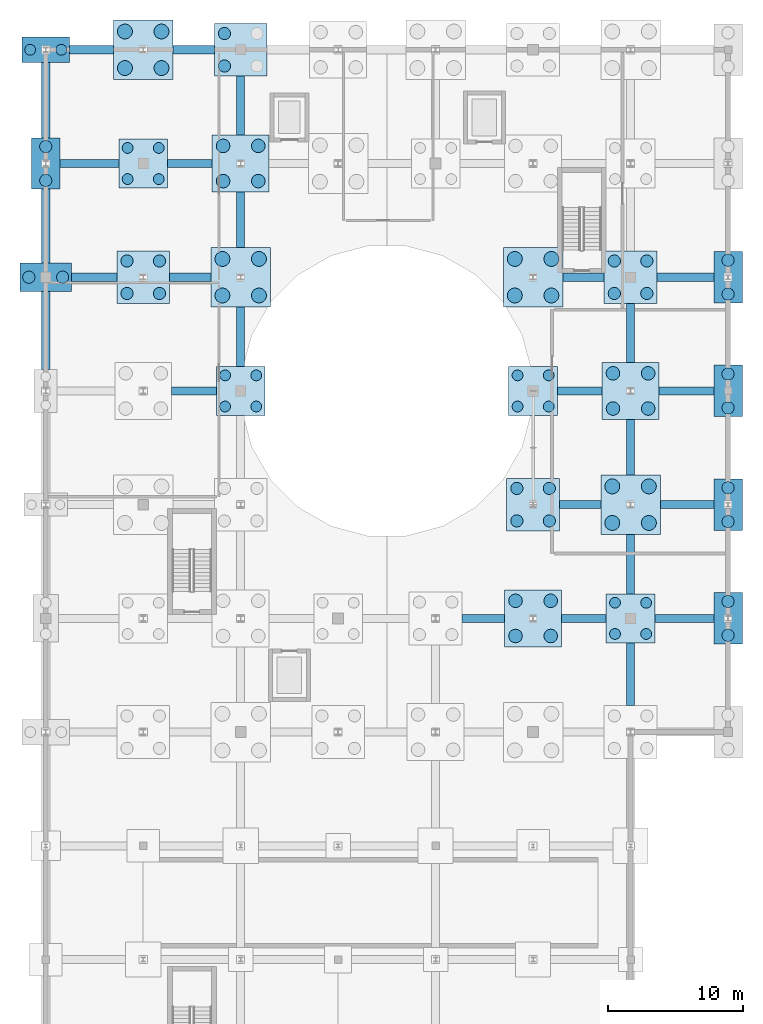
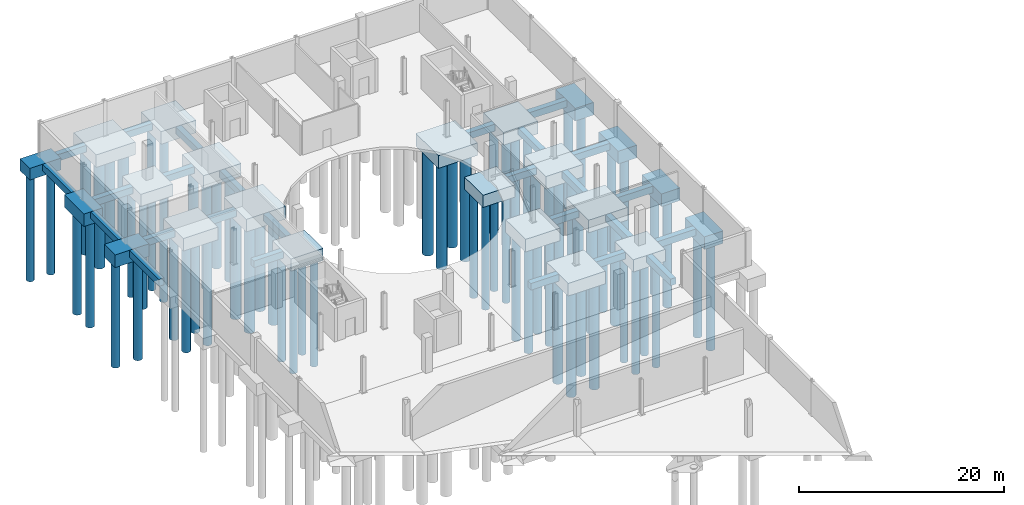
# One storey, part 4 of 32: 72 piles, 48 footings.
"""IFC4 building model written with IfcOpenShell, lengths in metres."""

from ifc_helpers import new_model, si_unit, direction, frame, origin, origin_2d, place, context, subcontext, project, spatial, polyline, rectangle, circle, outline, extrude, material, layer, layer_set, material_profile, profile_set, type_object, element, save


model = new_model("IFC4")

# Units and contexts
model_context = context("Model", 3, precision=1e-05, world=origin(), true_north=direction((0.0, 1.0)))
body_context = subcontext(model_context, "Body", "Model", "MODEL_VIEW")
ifc_project = project(units=[si_unit("LENGTHUNIT", "METRE"), si_unit("AREAUNIT", "SQUARE_METRE"), si_unit("VOLUMEUNIT", "CUBIC_METRE"), si_unit("PLANEANGLEUNIT", "RADIAN"), si_unit("MASSUNIT", "GRAM", prefix="KILO")], contexts=[model_context])

# Site, building, storey
site_placement = place(None, origin())
site = spatial("IfcSite", under=ifc_project, at=site_placement, CompositionType="ELEMENT")
building_placement = place(site_placement, origin())
building = spatial("IfcBuilding", under=site, at=building_placement, Name="Qelthora Terrace Specialist Clinic", CompositionType="ELEMENT")
storey_placement = place(building_placement, frame((0.0, 0.0, -4.199951171875)))
storey = spatial("IfcBuildingStorey", under=building, at=storey_placement, Name="B1", CompositionType="ELEMENT", Elevation=-4.199951171875)

# Footings
ifc_material = material(Name="Concrete C35/45", Category="concrete")
ifc_layer_1 = layer(ifc_material, 1.5)
ifc_layer_set_1 = layer_set([ifc_layer_1], Name="Concrete C35/45")
footing_type_1 = type_object("IfcFootingType", Name="PC-2100X3800X1500", PredefinedType="PILE_CAP", material=ifc_layer_set_1)
for number, where, z_axis, x_axis, name in (
    (1, (0.0, 100.800048828125, -1.800048828125), (0.0, 0.0, 1.0), (1.0, 0.0, 0.0), "Foundation FTG-B1-013"),
    (2, (50.39990234375, 67.199951171875, -1.800048828125), (0.0, 0.0, 1.0), (1.0, 0.0, 0.0), "Foundation FTG-B1-094"),
    (3, (50.39990234375, 75.60009765625, -1.800048828125), (0.0, 0.0, 1.0), (1.0, 0.0, 0.0), "Foundation FTG-B1-095"),
    (4, (50.39990234375, 84.0, -1.800048828125), (0.0, 0.0, 1.0), (1.0, 0.0, 0.0), "Foundation FTG-B1-096"),
    (5, (50.39990234375, 92.39990234375, -1.800048828125), (0.0, 0.0, 1.0), (1.0, 0.0, 0.0), "Foundation FTG-B1-097"),
):
    element("IfcFooting", number, at=place(storey_placement, frame(where, z_axis=z_axis, x_axis=x_axis)), inside=storey, type_object=footing_type_1, Name=name, PredefinedType="PILE_CAP", context=body_context, shape_type="SweptSolid", body=[
        extrude(rectangle(XDim=2.10009765625, YDim=3.800048828125, at=origin_2d()), origin(), (0.0, 0.0, 1.0), 1.5),
    ])
ifc_layer_2 = layer(ifc_material, 1.39990234375)
ifc_layer_set_2 = layer_set([ifc_layer_2], Name="Concrete C35/45")
footing_type_2 = type_object("IfcFootingType", Name="PC-3500X1900X1400", PredefinedType="PILE_CAP", material=ifc_layer_set_2)
footing_1_placement = place(storey_placement, frame((0.0, 109.199951171875, -1.699951171875), z_axis=(0.0, 0.0, 1.0), x_axis=(1.0, 0.0, 0.0)))
element("IfcFooting", 6, at=footing_1_placement, inside=storey, type_object=footing_type_2, Name="Foundation FTG-B1-014", PredefinedType="PILE_CAP", context=body_context, shape_type="SweptSolid", body=[
    extrude(rectangle(XDim=3.5, YDim=1.89990234375, at=origin_2d()), origin(), (0.0, 0.0, 1.0), 1.39990234375),
])
ifc_layer_3 = layer(ifc_material, 1.449951171875)
ifc_layer_set_3 = layer_set([ifc_layer_3], Name="Concrete C35/45")
footing_type_3 = type_object("IfcFootingType", Name="PC-3600X3600X1450", PredefinedType="PILE_CAP", material=ifc_layer_set_3)
for number, where, z_axis, x_axis, name in (
    (7, (7.199951171875, 100.800048828125, -1.75), (0.0, 0.0, 1.0), (1.0, 0.0, 0.0), "Foundation FTG-B1-027"),
    (8, (14.39990234375, 84.0, -1.75), (0.0, 0.0, 1.0), (1.0, 0.0, 0.0), "Foundation FTG-B1-039"),
    (9, (36.0, 84.0, -1.75), (0.0, 0.0, 1.0), (1.0, 0.0, 0.0), "Foundation FTG-B1-075"),
    (10, (43.199951171875, 67.199951171875, -1.75), (0.0, 0.0, 1.0), (1.0, 0.0, 0.0), "Foundation FTG-B1-087"),
):
    element("IfcFooting", number, at=place(storey_placement, frame(where, z_axis=z_axis, x_axis=x_axis)), inside=storey, type_object=footing_type_3, Name=name, PredefinedType="PILE_CAP", context=body_context, shape_type="SweptSolid", body=[
        extrude(rectangle(XDim=3.60009765625, YDim=3.60009765625, at=origin_2d()), origin(), (0.0, 0.0, 1.0), 1.449951171875),
    ])
ifc_layer_4 = layer(ifc_material, 1.5)
ifc_layer_set_4 = layer_set([ifc_layer_4], Name="Concrete C35/45")
footing_type_4 = type_object("IfcFootingType", Name="PC-3800X2100X1500", PredefinedType="PILE_CAP", material=ifc_layer_set_4)
footing_2_placement = place(storey_placement, frame((0.0, 92.39990234375, -1.800048828125), z_axis=(0.0, 0.0, 1.0), x_axis=(1.0, 0.0, 0.0)))
element("IfcFooting", 11, at=footing_2_placement, inside=storey, type_object=footing_type_4, Name="Foundation FTG-B1-012", PredefinedType="PILE_CAP", context=body_context, shape_type="SweptSolid", body=[
    extrude(rectangle(XDim=3.800048828125, YDim=2.10009765625, at=origin_2d()), origin(), (0.0, 0.0, 1.0), 1.5),
])
ifc_layer_5 = layer(ifc_material, 1.5)
ifc_layer_set_5 = layer_set([ifc_layer_5], Name="Concrete C35/45")
footing_type_5 = type_object("IfcFootingType", Name="PC-3900X3900X1500", PredefinedType="PILE_CAP", material=ifc_layer_set_5)
for number, where, z_axis, x_axis, name in (
    (12, (7.199951171875, 92.39990234375, -1.800048828125), (0.0, 0.0, 1.0), (1.0, 0.0, 0.0), "Foundation FTG-B1-026"),
    (13, (14.39990234375, 109.199951171875, -1.800048828125), (0.0, 0.0, 1.0), (1.0, 0.0, 0.0), "Foundation FTG-B1-042"),
    (14, (36.0, 75.60009765625, -1.800048828125), (0.0, 0.0, 1.0), (1.0, 0.0, 0.0), "Foundation FTG-B1-074"),
    (15, (43.199951171875, 92.39990234375, -1.800048828125), (0.0, 0.0, 1.0), (1.0, 0.0, 0.0), "Foundation FTG-B1-090"),
):
    element("IfcFooting", number, at=place(storey_placement, frame(where, z_axis=z_axis, x_axis=x_axis)), inside=storey, type_object=footing_type_5, Name=name, PredefinedType="PILE_CAP", context=body_context, shape_type="SweptSolid", body=[
        extrude(rectangle(XDim=3.89990234375, YDim=3.89990234375, at=origin_2d()), origin(), (0.0, 0.0, 1.0), 1.5),
    ])
ifc_layer_6 = layer(ifc_material, 1.5)
ifc_layer_set_6 = layer_set([ifc_layer_6], Name="Concrete C35/45")
footing_type_6 = type_object("IfcFootingType", Name="PC-4200X4200X1500", PredefinedType="PILE_CAP", material=ifc_layer_set_6)
for number, where, z_axis, x_axis, name in (
    (16, (14.39990234375, 100.800048828125, -1.800048828125), (0.0, 0.0, 1.0), (1.0, 0.0, 0.0), "Foundation FTG-B1-041"),
    (17, (36.0, 67.199951171875, -1.800048828125), (0.0, 0.0, 1.0), (1.0, 0.0, 0.0), "Foundation FTG-B1-073"),
    (18, (43.199951171875, 84.0, -1.800048828125), (0.0, 0.0, 1.0), (1.0, 0.0, 0.0), "Foundation FTG-B1-089"),
):
    element("IfcFooting", number, at=place(storey_placement, frame(where, z_axis=z_axis, x_axis=x_axis)), inside=storey, type_object=footing_type_6, Name=name, PredefinedType="PILE_CAP", context=body_context, shape_type="SweptSolid", body=[
        extrude(rectangle(XDim=4.199951171875, YDim=4.199951171875, at=origin_2d()), origin(), (0.0, 0.0, 1.0), 1.5),
    ])
ifc_layer_7 = layer(ifc_material, 1.5)
ifc_layer_set_7 = layer_set([ifc_layer_7], Name="Concrete C35/45")
footing_type_7 = type_object("IfcFootingType", Name="PC-4400X4400X1500", PredefinedType="PILE_CAP", material=ifc_layer_set_7)
for number, where, z_axis, x_axis, name in (
    (19, (7.199951171875, 109.199951171875, -1.800048828125), (0.0, 0.0, 1.0), (1.0, 0.0, 0.0), "Foundation FTG-B1-028"),
    (20, (14.39990234375, 92.39990234375, -1.800048828125), (0.0, 0.0, 1.0), (1.0, 0.0, 0.0), "Foundation FTG-B1-040"),
    (21, (36.0, 92.39990234375, -1.800048828125), (0.0, 0.0, 1.0), (1.0, 0.0, 0.0), "Foundation FTG-B1-076"),
    (22, (43.199951171875, 75.60009765625, -1.800048828125), (0.0, 0.0, 1.0), (1.0, 0.0, 0.0), "Foundation FTG-B1-088"),
):
    element("IfcFooting", number, at=place(storey_placement, frame(where, z_axis=z_axis, x_axis=x_axis)), inside=storey, type_object=footing_type_7, Name=name, PredefinedType="PILE_CAP", context=body_context, shape_type="SweptSolid", body=[
        extrude(rectangle(XDim=4.39990234375, YDim=4.39990234375, at=origin_2d()), origin(), (0.0, 0.0, 1.0), 1.5),
    ])

# Piles
ifc_material_profile_1 = material_profile(ifc_material, circle(Radius=0.5, at=origin_2d()), Name="PILE1000")
ifc_profile_set_1 = profile_set([ifc_material_profile_1], Name="Concrete C35/45")
pile_type_1 = type_object("IfcPileType", Name="PILE-D1000-C35", PredefinedType="BORED", material=ifc_profile_set_1)
for number, where, z_axis, x_axis, name in (
    (23, (13.10009765625, 99.5, -1.699951171875), (0.0, 0.0, -1.0), (1.0, 0.0, 0.0), "Bored pile PILE-B1-041-1"),
    (24, (15.699951171875, 99.5, -1.699951171875), (0.0, 0.0, -1.0), (1.0, 0.0, 0.0), "Bored pile PILE-B1-041-2"),
    (25, (13.10009765625, 102.10009765625, -1.699951171875), (0.0, 0.0, -1.0), (1.0, 0.0, 0.0), "Bored pile PILE-B1-041-3"),
    (26, (15.699951171875, 102.10009765625, -1.699951171875), (0.0, 0.0, -1.0), (1.0, 0.0, 0.0), "Bored pile PILE-B1-041-4"),
    (27, (34.699951171875, 65.89990234375, -1.699951171875), (0.0, 0.0, -1.0), (1.0, 0.0, 0.0), "Bored pile PILE-B1-073-1"),
    (28, (37.300048828125, 65.89990234375, -1.699951171875), (0.0, 0.0, -1.0), (1.0, 0.0, 0.0), "Bored pile PILE-B1-073-2"),
    (29, (34.699951171875, 68.5, -1.699951171875), (0.0, 0.0, -1.0), (1.0, 0.0, 0.0), "Bored pile PILE-B1-073-3"),
    (30, (37.300048828125, 68.5, -1.699951171875), (0.0, 0.0, -1.0), (1.0, 0.0, 0.0), "Bored pile PILE-B1-073-4"),
    (31, (41.89990234375, 82.699951171875, -1.699951171875), (0.0, 0.0, -1.0), (1.0, 0.0, 0.0), "Bored pile PILE-B1-089-1"),
    (32, (44.5, 82.699951171875, -1.699951171875), (0.0, 0.0, -1.0), (1.0, 0.0, 0.0), "Bored pile PILE-B1-089-2"),
    (33, (41.89990234375, 85.300048828125, -1.699951171875), (0.0, 0.0, -1.0), (1.0, 0.0, 0.0), "Bored pile PILE-B1-089-3"),
    (34, (44.5, 85.300048828125, -1.699951171875), (0.0, 0.0, -1.0), (1.0, 0.0, 0.0), "Bored pile PILE-B1-089-4"),
):
    element("IfcPile", number, at=place(storey_placement, frame(where, z_axis=z_axis, x_axis=x_axis)), inside=storey, type_object=pile_type_1, Name=name, PredefinedType="BORED", context=body_context, shape_type="SweptSolid", body=[
        extrude(circle(Radius=0.5, at=origin_2d()), origin(), (0.0, 0.0, 1.0), 12.60009765625),
    ])
ifc_material_profile_2 = material_profile(ifc_material, circle(Radius=0.550048828125, at=origin_2d()), Name="PILE1100")
ifc_profile_set_2 = profile_set([ifc_material_profile_2], Name="Concrete C35/45")
pile_type_2 = type_object("IfcPileType", Name="PILE-D1100-C35", PredefinedType="BORED", material=ifc_profile_set_2)
for number, where, z_axis, x_axis, name in (
    (35, (5.85009765625, 107.85009765625, -1.699951171875), (0.0, 0.0, -1.0), (1.0, 0.0, 0.0), "Bored pile PILE-B1-028-1"),
    (36, (8.550048828125, 107.85009765625, -1.699951171875), (0.0, 0.0, -1.0), (1.0, 0.0, 0.0), "Bored pile PILE-B1-028-2"),
    (37, (5.85009765625, 110.550048828125, -1.699951171875), (0.0, 0.0, -1.0), (1.0, 0.0, 0.0), "Bored pile PILE-B1-028-3"),
    (38, (8.550048828125, 110.550048828125, -1.699951171875), (0.0, 0.0, -1.0), (1.0, 0.0, 0.0), "Bored pile PILE-B1-028-4"),
    (39, (13.050048828125, 91.050048828125, -1.699951171875), (0.0, 0.0, -1.0), (1.0, 0.0, 0.0), "Bored pile PILE-B1-040-1"),
    (40, (15.75, 91.050048828125, -1.699951171875), (0.0, 0.0, -1.0), (1.0, 0.0, 0.0), "Bored pile PILE-B1-040-2"),
    (41, (13.050048828125, 93.75, -1.699951171875), (0.0, 0.0, -1.0), (1.0, 0.0, 0.0), "Bored pile PILE-B1-040-3"),
    (42, (15.75, 93.75, -1.699951171875), (0.0, 0.0, -1.0), (1.0, 0.0, 0.0), "Bored pile PILE-B1-040-4"),
    (43, (34.64990234375, 91.050048828125, -1.699951171875), (0.0, 0.0, -1.0), (1.0, 0.0, 0.0), "Bored pile PILE-B1-076-1"),
    (44, (37.35009765625, 91.050048828125, -1.699951171875), (0.0, 0.0, -1.0), (1.0, 0.0, 0.0), "Bored pile PILE-B1-076-2"),
    (45, (34.64990234375, 93.75, -1.699951171875), (0.0, 0.0, -1.0), (1.0, 0.0, 0.0), "Bored pile PILE-B1-076-3"),
    (46, (37.35009765625, 93.75, -1.699951171875), (0.0, 0.0, -1.0), (1.0, 0.0, 0.0), "Bored pile PILE-B1-076-4"),
    (47, (41.85009765625, 74.25, -1.699951171875), (0.0, 0.0, -1.0), (1.0, 0.0, 0.0), "Bored pile PILE-B1-088-1"),
    (48, (44.550048828125, 74.25, -1.699951171875), (0.0, 0.0, -1.0), (1.0, 0.0, 0.0), "Bored pile PILE-B1-088-2"),
    (49, (41.85009765625, 76.949951171875, -1.699951171875), (0.0, 0.0, -1.0), (1.0, 0.0, 0.0), "Bored pile PILE-B1-088-3"),
    (50, (44.550048828125, 76.949951171875, -1.699951171875), (0.0, 0.0, -1.0), (1.0, 0.0, 0.0), "Bored pile PILE-B1-088-4"),
):
    element("IfcPile", number, at=place(storey_placement, frame(where, z_axis=z_axis, x_axis=x_axis)), inside=storey, type_object=pile_type_2, Name=name, PredefinedType="BORED", context=body_context, shape_type="SweptSolid", body=[
        extrude(circle(Radius=0.550048828125, at=origin_2d()), origin(), (0.0, 0.0, 1.0), 12.60009765625),
    ])
ifc_material_profile_3 = material_profile(ifc_material, circle(Radius=0.39990234375, at=origin_2d()), Name="PILE800")
ifc_profile_set_3 = profile_set([ifc_material_profile_3], Name="Concrete C35/45")
pile_type_3 = type_object("IfcPileType", Name="PILE-D800-C35", PredefinedType="BORED", material=ifc_profile_set_3)
for number, where, z_axis, x_axis, name in (
    (51, (-1.14990234375, 109.199951171875, -1.60009765625), (0.0, 0.0, -1.0), (1.0, 0.0, 0.0), "Bored pile PILE-B1-014-1"),
    (52, (1.14990234375, 109.199951171875, -1.60009765625), (0.0, 0.0, -1.0), (1.0, 0.0, 0.0), "Bored pile PILE-B1-014-2"),
):
    element("IfcPile", number, at=place(storey_placement, frame(where, z_axis=z_axis, x_axis=x_axis)), inside=storey, type_object=pile_type_3, Name=name, PredefinedType="BORED", context=body_context, shape_type="SweptSolid", body=[
        extrude(circle(Radius=0.39990234375, at=origin_2d()), origin(), (0.0, 0.0, 1.0), 12.699951171875),
    ])
for number, where, z_axis, x_axis, name in (
    (53, (6.050048828125, 99.64990234375, -1.650146484375), (0.0, 0.0, -1.0), (1.0, 0.0, 0.0), "Bored pile PILE-B1-027-1"),
    (54, (8.35009765625, 99.64990234375, -1.650146484375), (0.0, 0.0, -1.0), (1.0, 0.0, 0.0), "Bored pile PILE-B1-027-2"),
    (55, (6.050048828125, 101.949951171875, -1.650146484375), (0.0, 0.0, -1.0), (1.0, 0.0, 0.0), "Bored pile PILE-B1-027-3"),
    (56, (8.35009765625, 101.949951171875, -1.650146484375), (0.0, 0.0, -1.0), (1.0, 0.0, 0.0), "Bored pile PILE-B1-027-4"),
    (57, (13.25, 82.85009765625, -1.650146484375), (0.0, 0.0, -1.0), (1.0, 0.0, 0.0), "Bored pile PILE-B1-039-1"),
    (58, (15.550048828125, 82.85009765625, -1.650146484375), (0.0, 0.0, -1.0), (1.0, 0.0, 0.0), "Bored pile PILE-B1-039-2"),
    (59, (13.25, 85.14990234375, -1.650146484375), (0.0, 0.0, -1.0), (1.0, 0.0, 0.0), "Bored pile PILE-B1-039-3"),
    (60, (15.550048828125, 85.14990234375, -1.650146484375), (0.0, 0.0, -1.0), (1.0, 0.0, 0.0), "Bored pile PILE-B1-039-4"),
    (61, (34.85009765625, 82.85009765625, -1.650146484375), (0.0, 0.0, -1.0), (1.0, 0.0, 0.0), "Bored pile PILE-B1-075-1"),
    (62, (37.14990234375, 82.85009765625, -1.650146484375), (0.0, 0.0, -1.0), (1.0, 0.0, 0.0), "Bored pile PILE-B1-075-2"),
    (63, (34.85009765625, 85.14990234375, -1.650146484375), (0.0, 0.0, -1.0), (1.0, 0.0, 0.0), "Bored pile PILE-B1-075-3"),
    (64, (37.14990234375, 85.14990234375, -1.650146484375), (0.0, 0.0, -1.0), (1.0, 0.0, 0.0), "Bored pile PILE-B1-075-4"),
    (65, (42.050048828125, 66.050048828125, -1.650146484375), (0.0, 0.0, -1.0), (1.0, 0.0, 0.0), "Bored pile PILE-B1-087-1"),
    (66, (44.35009765625, 66.050048828125, -1.650146484375), (0.0, 0.0, -1.0), (1.0, 0.0, 0.0), "Bored pile PILE-B1-087-2"),
    (67, (42.050048828125, 68.35009765625, -1.650146484375), (0.0, 0.0, -1.0), (1.0, 0.0, 0.0), "Bored pile PILE-B1-087-3"),
    (68, (44.35009765625, 68.35009765625, -1.650146484375), (0.0, 0.0, -1.0), (1.0, 0.0, 0.0), "Bored pile PILE-B1-087-4"),
):
    element("IfcPile", number, at=place(storey_placement, frame(where, z_axis=z_axis, x_axis=x_axis)), inside=storey, type_object=pile_type_3, Name=name, PredefinedType="BORED", context=body_context, shape_type="SweptSolid", body=[
        extrude(circle(Radius=0.39990234375, at=origin_2d()), origin(), (0.0, 0.0, 1.0), 12.64990234375),
    ])
ifc_material_profile_4 = material_profile(ifc_material, circle(Radius=0.449951171875, at=origin_2d()), Name="PILE900")
ifc_profile_set_4 = profile_set([ifc_material_profile_4], Name="Concrete C35/45")
pile_type_4 = type_object("IfcPileType", Name="PILE-D900-C35", PredefinedType="BORED", material=ifc_profile_set_4)
for number, where, z_axis, x_axis, name in (
    (69, (-1.25, 92.39990234375, -1.699951171875), (0.0, 0.0, -1.0), (1.0, 0.0, 0.0), "Bored pile PILE-B1-012-1"),
    (70, (1.25, 92.39990234375, -1.699951171875), (0.0, 0.0, -1.0), (1.0, 0.0, 0.0), "Bored pile PILE-B1-012-2"),
    (71, (0.0, 99.550048828125, -1.699951171875), (0.0, 0.0, -1.0), (1.0, 0.0, 0.0), "Bored pile PILE-B1-013-1"),
    (72, (0.0, 102.050048828125, -1.699951171875), (0.0, 0.0, -1.0), (1.0, 0.0, 0.0), "Bored pile PILE-B1-013-2"),
    (73, (6.0, 91.199951171875, -1.699951171875), (0.0, 0.0, -1.0), (1.0, 0.0, 0.0), "Bored pile PILE-B1-026-1"),
    (74, (8.39990234375, 91.199951171875, -1.699951171875), (0.0, 0.0, -1.0), (1.0, 0.0, 0.0), "Bored pile PILE-B1-026-2"),
    (75, (6.0, 93.60009765625, -1.699951171875), (0.0, 0.0, -1.0), (1.0, 0.0, 0.0), "Bored pile PILE-B1-026-3"),
    (76, (8.39990234375, 93.60009765625, -1.699951171875), (0.0, 0.0, -1.0), (1.0, 0.0, 0.0), "Bored pile PILE-B1-026-4"),
    (77, (13.199951171875, 108.0, -1.699951171875), (0.0, 0.0, -1.0), (1.0, 0.0, 0.0), "Bored pile PILE-B1-042-1"),
    (78, (13.199951171875, 110.39990234375, -1.699951171875), (0.0, 0.0, -1.0), (1.0, 0.0, 0.0), "Bored pile PILE-B1-042-3"),
    (79, (34.800048828125, 74.39990234375, -1.699951171875), (0.0, 0.0, -1.0), (1.0, 0.0, 0.0), "Bored pile PILE-B1-074-1"),
    (80, (37.199951171875, 74.39990234375, -1.699951171875), (0.0, 0.0, -1.0), (1.0, 0.0, 0.0), "Bored pile PILE-B1-074-2"),
    (81, (34.800048828125, 76.800048828125, -1.699951171875), (0.0, 0.0, -1.0), (1.0, 0.0, 0.0), "Bored pile PILE-B1-074-3"),
    (82, (37.199951171875, 76.800048828125, -1.699951171875), (0.0, 0.0, -1.0), (1.0, 0.0, 0.0), "Bored pile PILE-B1-074-4"),
    (83, (42.0, 91.199951171875, -1.699951171875), (0.0, 0.0, -1.0), (1.0, 0.0, 0.0), "Bored pile PILE-B1-090-1"),
    (84, (44.39990234375, 91.199951171875, -1.699951171875), (0.0, 0.0, -1.0), (1.0, 0.0, 0.0), "Bored pile PILE-B1-090-2"),
    (85, (42.0, 93.60009765625, -1.699951171875), (0.0, 0.0, -1.0), (1.0, 0.0, 0.0), "Bored pile PILE-B1-090-3"),
    (86, (44.39990234375, 93.60009765625, -1.699951171875), (0.0, 0.0, -1.0), (1.0, 0.0, 0.0), "Bored pile PILE-B1-090-4"),
    (87, (50.39990234375, 65.949951171875, -1.699951171875), (0.0, 0.0, -1.0), (1.0, 0.0, 0.0), "Bored pile PILE-B1-094-1"),
    (88, (50.39990234375, 68.449951171875, -1.699951171875), (0.0, 0.0, -1.0), (1.0, 0.0, 0.0), "Bored pile PILE-B1-094-2"),
    (89, (50.39990234375, 74.35009765625, -1.699951171875), (0.0, 0.0, -1.0), (1.0, 0.0, 0.0), "Bored pile PILE-B1-095-1"),
    (90, (50.39990234375, 76.85009765625, -1.699951171875), (0.0, 0.0, -1.0), (1.0, 0.0, 0.0), "Bored pile PILE-B1-095-2"),
    (91, (50.39990234375, 82.75, -1.699951171875), (0.0, 0.0, -1.0), (1.0, 0.0, 0.0), "Bored pile PILE-B1-096-1"),
    (92, (50.39990234375, 85.25, -1.699951171875), (0.0, 0.0, -1.0), (1.0, 0.0, 0.0), "Bored pile PILE-B1-096-2"),
    (93, (50.39990234375, 91.14990234375, -1.699951171875), (0.0, 0.0, -1.0), (1.0, 0.0, 0.0), "Bored pile PILE-B1-097-1"),
    (94, (50.39990234375, 93.64990234375, -1.699951171875), (0.0, 0.0, -1.0), (1.0, 0.0, 0.0), "Bored pile PILE-B1-097-2"),
):
    element("IfcPile", number, at=place(storey_placement, frame(where, z_axis=z_axis, x_axis=x_axis)), inside=storey, type_object=pile_type_4, Name=name, PredefinedType="BORED", context=body_context, shape_type="SweptSolid", body=[
        extrude(circle(Radius=0.449951171875, at=origin_2d()), origin(), (0.0, 0.0, 1.0), 12.60009765625),
    ])

# Footings
ifc_layer_8 = layer(ifc_material, 0.800048828125)
ifc_layer_set_8 = layer_set([ifc_layer_8], Name="Concrete C35/45")
footing_type_8 = type_object("IfcFootingType", Name="SF-600X800-C35", PredefinedType="STRIP_FOOTING", material=ifc_layer_set_8)
footing_3_placement = place(storey_placement, frame((0.0, 0.0, -1.10009765625)))
element("IfcFooting", 95, at=footing_3_placement, inside=storey, type_object=footing_type_8, Name="Foundation tie strip SF-Y-022", PredefinedType="STRIP_FOOTING", context=body_context, shape_type="SweptSolid", body=[
    extrude(outline(polyline([(-0.300048828125, 85.60009765625), (0.300048828125, 85.60009765625), (0.300048828125, 91.35009765625), (-0.300048828125, 91.35009765625), (-0.300048828125, 85.60009765625)])), origin(), (0.0, 0.0, 1.0), 0.800048828125),
])
footing_4_placement = place(storey_placement, frame((0.0, 0.0, -1.10009765625)))
element("IfcFooting", 96, at=footing_4_placement, inside=storey, type_object=footing_type_8, Name="Foundation tie strip SF-X-023", PredefinedType="STRIP_FOOTING", context=body_context, shape_type="SweptSolid", body=[
    extrude(outline(polyline([(1.89990234375, 92.10009765625), (5.25, 92.10009765625), (5.25, 92.699951171875), (1.89990234375, 92.699951171875), (1.89990234375, 92.10009765625)])), origin(), (0.0, 0.0, 1.0), 0.800048828125),
])
footing_5_placement = place(storey_placement, frame((0.0, 0.0, -1.10009765625)))
element("IfcFooting", 97, at=footing_5_placement, inside=storey, type_object=footing_type_8, Name="Foundation tie strip SF-Y-024", PredefinedType="STRIP_FOOTING", context=body_context, shape_type="SweptSolid", body=[
    extrude(outline(polyline([(-0.300048828125, 93.449951171875), (0.300048828125, 93.449951171875), (0.300048828125, 98.89990234375), (-0.300048828125, 98.89990234375), (-0.300048828125, 93.449951171875)])), origin(), (0.0, 0.0, 1.0), 0.800048828125),
])
footing_6_placement = place(storey_placement, frame((0.0, 0.0, -1.10009765625)))
element("IfcFooting", 98, at=footing_6_placement, inside=storey, type_object=footing_type_8, Name="Foundation tie strip SF-X-025", PredefinedType="STRIP_FOOTING", context=body_context, shape_type="SweptSolid", body=[
    extrude(outline(polyline([(1.050048828125, 100.5), (5.39990234375, 100.5), (5.39990234375, 101.10009765625), (1.050048828125, 101.10009765625), (1.050048828125, 100.5)])), origin(), (0.0, 0.0, 1.0), 0.800048828125),
])
footing_7_placement = place(storey_placement, frame((0.0, 0.0, -1.10009765625)))
element("IfcFooting", 99, at=footing_7_placement, inside=storey, type_object=footing_type_8, Name="Foundation tie strip SF-Y-026", PredefinedType="STRIP_FOOTING", context=body_context, shape_type="SweptSolid", body=[
    extrude(outline(polyline([(-0.300048828125, 102.699951171875), (0.300048828125, 102.699951171875), (0.300048828125, 108.25), (-0.300048828125, 108.25), (-0.300048828125, 102.699951171875)])), origin(), (0.0, 0.0, 1.0), 0.800048828125),
])
footing_8_placement = place(storey_placement, frame((0.0, 0.0, -1.10009765625)))
element("IfcFooting", 100, at=footing_8_placement, inside=storey, type_object=footing_type_8, Name="Foundation tie strip SF-X-027", PredefinedType="STRIP_FOOTING", context=body_context, shape_type="SweptSolid", body=[
    extrude(outline(polyline([(1.75, 108.89990234375), (5.0, 108.89990234375), (5.0, 109.5), (1.75, 109.5), (1.75, 108.89990234375)])), origin(), (0.0, 0.0, 1.0), 0.800048828125),
])
footing_9_placement = place(storey_placement, frame((0.0, 0.0, -1.10009765625)))
element("IfcFooting", 101, at=footing_9_placement, inside=storey, type_object=footing_type_8, Name="Foundation tie strip SF-X-038", PredefinedType="STRIP_FOOTING", context=body_context, shape_type="SweptSolid", body=[
    extrude(outline(polyline([(9.300048828125, 83.699951171875), (12.60009765625, 83.699951171875), (12.60009765625, 84.300048828125), (9.300048828125, 84.300048828125), (9.300048828125, 83.699951171875)])), origin(), (0.0, 0.0, 1.0), 0.800048828125),
])
footing_10_placement = place(storey_placement, frame((0.0, 0.0, -1.10009765625)))
element("IfcFooting", 102, at=footing_10_placement, inside=storey, type_object=footing_type_8, Name="Foundation tie strip SF-X-039", PredefinedType="STRIP_FOOTING", context=body_context, shape_type="SweptSolid", body=[
    extrude(outline(polyline([(9.14990234375, 92.10009765625), (12.199951171875, 92.10009765625), (12.199951171875, 92.699951171875), (9.14990234375, 92.699951171875), (9.14990234375, 92.10009765625)])), origin(), (0.0, 0.0, 1.0), 0.800048828125),
])
footing_11_placement = place(storey_placement, frame((0.0, 0.0, -1.10009765625)))
element("IfcFooting", 103, at=footing_11_placement, inside=storey, type_object=footing_type_8, Name="Foundation tie strip SF-X-040", PredefinedType="STRIP_FOOTING", context=body_context, shape_type="SweptSolid", body=[
    extrude(outline(polyline([(9.0, 100.5), (12.300048828125, 100.5), (12.300048828125, 101.10009765625), (9.0, 101.10009765625), (9.0, 100.5)])), origin(), (0.0, 0.0, 1.0), 0.800048828125),
])
footing_12_placement = place(storey_placement, frame((0.0, 0.0, -1.10009765625)))
element("IfcFooting", 104, at=footing_12_placement, inside=storey, type_object=footing_type_8, Name="Foundation tie strip SF-X-041", PredefinedType="STRIP_FOOTING", context=body_context, shape_type="SweptSolid", body=[
    extrude(outline(polyline([(9.39990234375, 108.89990234375), (12.449951171875, 108.89990234375), (12.449951171875, 109.5), (9.39990234375, 109.5), (9.39990234375, 108.89990234375)])), origin(), (0.0, 0.0, 1.0), 0.800048828125),
])
footing_13_placement = place(storey_placement, frame((0.0, 0.0, -1.10009765625)))
element("IfcFooting", 105, at=footing_13_placement, inside=storey, type_object=footing_type_8, Name="Foundation tie strip SF-Y-061", PredefinedType="STRIP_FOOTING", context=body_context, shape_type="SweptSolid", body=[
    extrude(outline(polyline([(14.10009765625, 85.800048828125), (14.699951171875, 85.800048828125), (14.699951171875, 90.199951171875), (14.10009765625, 90.199951171875), (14.10009765625, 85.800048828125)])), origin(), (0.0, 0.0, 1.0), 0.800048828125),
])
footing_14_placement = place(storey_placement, frame((0.0, 0.0, -1.10009765625)))
element("IfcFooting", 106, at=footing_14_placement, inside=storey, type_object=footing_type_8, Name="Foundation tie strip SF-Y-062", PredefinedType="STRIP_FOOTING", context=body_context, shape_type="SweptSolid", body=[
    extrude(outline(polyline([(14.10009765625, 94.60009765625), (14.699951171875, 94.60009765625), (14.699951171875, 98.699951171875), (14.10009765625, 98.699951171875), (14.10009765625, 94.60009765625)])), origin(), (0.0, 0.0, 1.0), 0.800048828125),
])
footing_15_placement = place(storey_placement, frame((0.0, 0.0, -1.10009765625)))
element("IfcFooting", 107, at=footing_15_placement, inside=storey, type_object=footing_type_8, Name="Foundation tie strip SF-Y-064", PredefinedType="STRIP_FOOTING", context=body_context, shape_type="SweptSolid", body=[
    extrude(outline(polyline([(14.10009765625, 102.89990234375), (14.699951171875, 102.89990234375), (14.699951171875, 107.25), (14.10009765625, 107.25), (14.10009765625, 102.89990234375)])), origin(), (0.0, 0.0, 1.0), 0.800048828125),
])
footing_16_placement = place(storey_placement, frame((0.0, 0.0, -1.10009765625)))
element("IfcFooting", 108, at=footing_16_placement, inside=storey, type_object=footing_type_8, Name="Foundation tie strip SF-X-093", PredefinedType="STRIP_FOOTING", context=body_context, shape_type="SweptSolid", body=[
    extrude(outline(polyline([(30.75, 66.89990234375), (33.89990234375, 66.89990234375), (33.89990234375, 67.5), (30.75, 67.5), (30.75, 66.89990234375)])), origin(), (0.0, 0.0, 1.0), 0.800048828125),
])
footing_17_placement = place(storey_placement, frame((0.0, 0.0, -1.10009765625)))
element("IfcFooting", 109, at=footing_17_placement, inside=storey, type_object=footing_type_8, Name="Foundation tie strip SF-X-105", PredefinedType="STRIP_FOOTING", context=body_context, shape_type="SweptSolid", body=[
    extrude(outline(polyline([(38.10009765625, 66.89990234375), (41.39990234375, 66.89990234375), (41.39990234375, 67.5), (38.10009765625, 67.5), (38.10009765625, 66.89990234375)])), origin(), (0.0, 0.0, 1.0), 0.800048828125),
])
footing_18_placement = place(storey_placement, frame((0.0, 0.0, -1.10009765625)))
element("IfcFooting", 110, at=footing_18_placement, inside=storey, type_object=footing_type_8, Name="Foundation tie strip SF-X-106", PredefinedType="STRIP_FOOTING", context=body_context, shape_type="SweptSolid", body=[
    extrude(outline(polyline([(37.949951171875, 75.300048828125), (41.0, 75.300048828125), (41.0, 75.89990234375), (37.949951171875, 75.89990234375), (37.949951171875, 75.300048828125)])), origin(), (0.0, 0.0, 1.0), 0.800048828125),
])
footing_19_placement = place(storey_placement, frame((0.0, 0.0, -1.10009765625)))
element("IfcFooting", 111, at=footing_19_placement, inside=storey, type_object=footing_type_8, Name="Foundation tie strip SF-X-107", PredefinedType="STRIP_FOOTING", context=body_context, shape_type="SweptSolid", body=[
    extrude(outline(polyline([(37.800048828125, 83.699951171875), (41.10009765625, 83.699951171875), (41.10009765625, 84.300048828125), (37.800048828125, 84.300048828125), (37.800048828125, 83.699951171875)])), origin(), (0.0, 0.0, 1.0), 0.800048828125),
])
footing_20_placement = place(storey_placement, frame((0.0, 0.0, -1.10009765625)))
element("IfcFooting", 112, at=footing_20_placement, inside=storey, type_object=footing_type_8, Name="Foundation tie strip SF-X-108", PredefinedType="STRIP_FOOTING", context=body_context, shape_type="SweptSolid", body=[
    extrude(outline(polyline([(38.199951171875, 92.10009765625), (41.25, 92.10009765625), (41.25, 92.699951171875), (38.199951171875, 92.699951171875), (38.199951171875, 92.10009765625)])), origin(), (0.0, 0.0, 1.0), 0.800048828125),
])
footing_21_placement = place(storey_placement, frame((0.0, 0.0, -1.10009765625)))
element("IfcFooting", 113, at=footing_21_placement, inside=storey, type_object=footing_type_8, Name="Foundation tie strip SF-Y-119", PredefinedType="STRIP_FOOTING", context=body_context, shape_type="SweptSolid", body=[
    extrude(outline(polyline([(42.89990234375, 60.75), (43.5, 60.75), (43.5, 65.39990234375), (42.89990234375, 65.39990234375), (42.89990234375, 60.75)])), origin(), (0.0, 0.0, 1.0), 0.800048828125),
])
footing_22_placement = place(storey_placement, frame((0.0, 0.0, -1.10009765625)))
element("IfcFooting", 114, at=footing_22_placement, inside=storey, type_object=footing_type_8, Name="Foundation tie strip SF-X-120", PredefinedType="STRIP_FOOTING", context=body_context, shape_type="SweptSolid", body=[
    extrude(outline(polyline([(45.0, 66.89990234375), (49.35009765625, 66.89990234375), (49.35009765625, 67.5), (45.0, 67.5), (45.0, 66.89990234375)])), origin(), (0.0, 0.0, 1.0), 0.800048828125),
])
footing_23_placement = place(storey_placement, frame((0.0, 0.0, -1.10009765625)))
element("IfcFooting", 115, at=footing_23_placement, inside=storey, type_object=footing_type_8, Name="Foundation tie strip SF-Y-121", PredefinedType="STRIP_FOOTING", context=body_context, shape_type="SweptSolid", body=[
    extrude(outline(polyline([(42.89990234375, 69.0), (43.5, 69.0), (43.5, 73.39990234375), (42.89990234375, 73.39990234375), (42.89990234375, 69.0)])), origin(), (0.0, 0.0, 1.0), 0.800048828125),
])
footing_24_placement = place(storey_placement, frame((0.0, 0.0, -1.10009765625)))
element("IfcFooting", 116, at=footing_24_placement, inside=storey, type_object=footing_type_8, Name="Foundation tie strip SF-X-122", PredefinedType="STRIP_FOOTING", context=body_context, shape_type="SweptSolid", body=[
    extrude(outline(polyline([(45.39990234375, 75.300048828125), (49.35009765625, 75.300048828125), (49.35009765625, 75.89990234375), (45.39990234375, 75.89990234375), (45.39990234375, 75.300048828125)])), origin(), (0.0, 0.0, 1.0), 0.800048828125),
])
footing_25_placement = place(storey_placement, frame((0.0, 0.0, -1.10009765625)))
element("IfcFooting", 117, at=footing_25_placement, inside=storey, type_object=footing_type_8, Name="Foundation tie strip SF-Y-123", PredefinedType="STRIP_FOOTING", context=body_context, shape_type="SweptSolid", body=[
    extrude(outline(polyline([(42.89990234375, 77.800048828125), (43.5, 77.800048828125), (43.5, 81.89990234375), (42.89990234375, 81.89990234375), (42.89990234375, 77.800048828125)])), origin(), (0.0, 0.0, 1.0), 0.800048828125),
])
footing_26_placement = place(storey_placement, frame((0.0, 0.0, -1.10009765625)))
element("IfcFooting", 118, at=footing_26_placement, inside=storey, type_object=footing_type_8, Name="Foundation tie strip SF-X-124", PredefinedType="STRIP_FOOTING", context=body_context, shape_type="SweptSolid", body=[
    extrude(outline(polyline([(45.300048828125, 83.699951171875), (49.35009765625, 83.699951171875), (49.35009765625, 84.300048828125), (45.300048828125, 84.300048828125), (45.300048828125, 83.699951171875)])), origin(), (0.0, 0.0, 1.0), 0.800048828125),
])
footing_27_placement = place(storey_placement, frame((0.0, 0.0, -1.10009765625)))
element("IfcFooting", 119, at=footing_27_placement, inside=storey, type_object=footing_type_8, Name="Foundation tie strip SF-Y-125", PredefinedType="STRIP_FOOTING", context=body_context, shape_type="SweptSolid", body=[
    extrude(outline(polyline([(42.89990234375, 86.10009765625), (43.5, 86.10009765625), (43.5, 90.449951171875), (42.89990234375, 90.449951171875), (42.89990234375, 86.10009765625)])), origin(), (0.0, 0.0, 1.0), 0.800048828125),
])
footing_28_placement = place(storey_placement, frame((0.0, 0.0, -1.10009765625)))
element("IfcFooting", 120, at=footing_28_placement, inside=storey, type_object=footing_type_8, Name="Foundation tie strip SF-X-126", PredefinedType="STRIP_FOOTING", context=body_context, shape_type="SweptSolid", body=[
    extrude(outline(polyline([(45.14990234375, 92.10009765625), (49.35009765625, 92.10009765625), (49.35009765625, 92.699951171875), (45.14990234375, 92.699951171875), (45.14990234375, 92.10009765625)])), origin(), (0.0, 0.0, 1.0), 0.800048828125),
])

save(model, "model.ifc")
